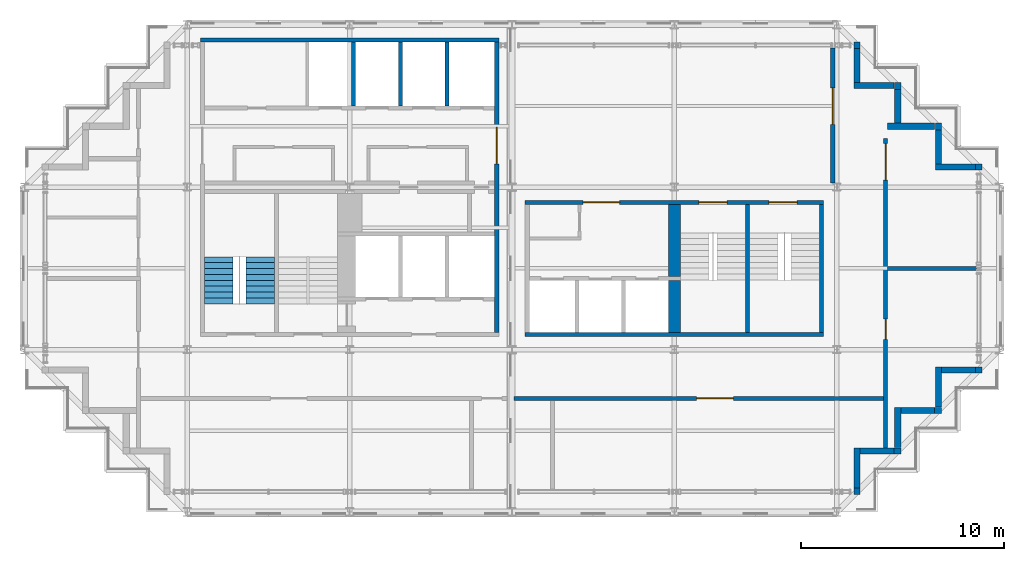
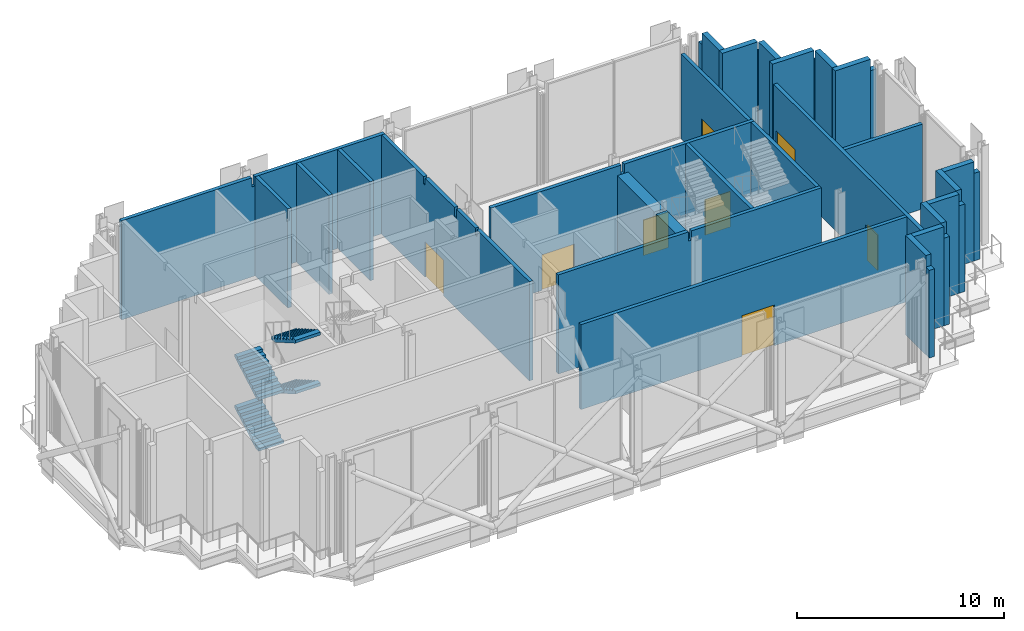
# One storey, part 13 of 16: 35 walls, 8 doors, 4 stair flights, 8 openings, 1 element without a shape of its own.
"""IFC4 building model written with IfcOpenShell, lengths in metres."""

from ifc_helpers import new_model, si_unit, direction, frame, frame_2d, origin, place, context, subcontext, project, spatial, polyline, rectangle, outline, extrude, material, layer, layer_set, type_object, element, fill, aggregate, save


model = new_model("IFC4")

# Units and contexts
model_context = context("Model", 3, precision=1e-05, world=origin(), true_north=direction((0.0, 1.0)))
body_context = subcontext(model_context, "Body", "Model", "MODEL_VIEW")
ifc_project = project(units=[si_unit("LENGTHUNIT", "METRE"), si_unit("AREAUNIT", "SQUARE_METRE"), si_unit("VOLUMEUNIT", "CUBIC_METRE"), si_unit("PLANEANGLEUNIT", "RADIAN"), si_unit("MASSUNIT", "GRAM", prefix="KILO")], contexts=[model_context])

# Site, building, storey
site_placement = place(None, origin())
site = spatial("IfcSite", under=ifc_project, at=site_placement, CompositionType="ELEMENT")
building_placement = place(site_placement, origin())
building = spatial("IfcBuilding", under=site, at=building_placement, Name="Immortelle Media Tower", CompositionType="ELEMENT")
storey_placement = place(building_placement, frame((0.0, 0.0, 241.0)))
storey = spatial("IfcBuildingStorey", under=building, at=storey_placement, Name="L52", CompositionType="ELEMENT", Elevation=241.0)

# Walls
ifc_material_1 = material(Name="Fire-rated gypsum board", Category="gypsum")
ifc_layer_1 = layer(ifc_material_1, 0.03759765625)
ifc_material_2 = material(Name="Steel ASTM A653 SS Gr 50 stud frame with mineral wool", Category="steel")
ifc_layer_2 = layer(ifc_material_2, 0.125)
ifc_layer_3 = layer(ifc_material_1, 0.03759765625)
ifc_layer_set_1 = layer_set([ifc_layer_1, ifc_layer_2, ifc_layer_3], Name="Steel ASTM A653 SS Gr 50 stud frame with mineral wool")
wall_type_1 = type_object("IfcWallType", Name="Core shaft wall 200", PredefinedType="PARTITIONING", material=ifc_layer_set_1)
wall_1_placement = place(storey_placement, frame((8.64990234375, 23.25, 0.0), z_axis=(0.0, 0.0, 1.0), x_axis=(1.0, 0.0, 0.0)))
element("IfcWall", 1, at=wall_1_placement, inside=storey, type_object=wall_type_1, Name="Core shaft wall SW", PredefinedType="PARTITIONING", context=body_context, shape_type="SweptSolid", body=[
    extrude(outline(polyline([(0.0, 0.0), (14.7001953125, 0.0), (14.699951171875, 5.85009765625), (7.4384765625, 5.85009765625), (7.4375, 5.30810546875), (7.262451171875, 5.30810546875), (7.261474609375, 5.85009765625), (0.0, 5.85009765625), (0.0, 0.0)])), frame((0.0, 0.10009765625, 0.0), z_axis=(0.0, -1.0, 0.0), x_axis=(1.0, 0.0, 0.0)), (0.0, 0.0, 1.0), 0.199951171875),
])
for number, where, z_axis, x_axis, name in (
    (2, (16.199951171875, 20.0, 0.0), (0.0, 0.0, 1.0), (0.0, 1.0, 0.0), "Core shaft wall SW"),
    (3, (18.5, 20.0, 0.0), (0.0, 0.0, 1.0), (0.0, 1.0, 0.0), "Core shaft wall SW"),
    (4, (20.800048828125, 20.0, 0.0), (0.0, 0.0, 1.0), (0.0, 1.0, 0.0), "Core shaft wall SW"),
):
    element("IfcWall", number, at=place(storey_placement, frame(where, z_axis=z_axis, x_axis=x_axis)), inside=storey, type_object=wall_type_1, Name=name, PredefinedType="PARTITIONING", context=body_context, shape_type="SweptSolid", body=[
        extrude(rectangle(XDim=3.14990234375, YDim=0.199951171875, at=frame_2d((1.574951171875, 0.0))), origin(), (0.0, 0.0, 1.0), 5.85009765625),
    ])

# Wall, opening, door
wall_2_placement = place(storey_placement, frame((23.25, 8.85009765625, 0.0), z_axis=(0.0, 0.0, 1.0), x_axis=(0.0, 1.0, 0.0)))
wall_2 = element("IfcWall", 5, at=wall_2_placement, inside=storey, type_object=wall_type_1, Name="Core shaft wall SW", PredefinedType="PARTITIONING", context=body_context, shape_type="SweptSolid", body=[
    extrude(outline(polyline([(0.0, 0.0), (14.2998046875, 0.0), (14.300048828125, 5.85009765625), (10.22509765625, 5.85009765625), (10.22412109375, 5.43994140625), (10.075927734375, 5.43994140625), (10.074951171875, 5.85009765625), (7.238525390625, 5.85009765625), (7.237548828125, 5.30810546875), (7.0625, 5.30810546875), (7.0615234375, 5.85009765625), (5.22509765625, 5.85009765625), (5.22412109375, 5.43994140625), (5.075927734375, 5.43994140625), (5.074951171875, 5.85009765625), (0.0, 5.85009765625), (0.0, 0.0)])), frame((0.0, 0.10009765625, 0.0), z_axis=(0.0, -1.0, 0.0), x_axis=(1.0, 0.0, 0.0)), (0.0, 0.0, 1.0), 0.199951171875),
])
opening_1_placement = place(wall_2_placement, frame((8.300048828125, 0.0, 0.0)))
opening_1 = element("IfcOpeningElement", 6, at=opening_1_placement, cuts=wall_2, Name="Opening L52-K018", PredefinedType="OPENING", context=body_context, shape_type="SweptSolid", body=[
    extrude(rectangle(XDim=1.800048828125, YDim=2.10009765625, at=frame_2d((0.89990234375, 1.050048828125))), frame((0.0, 0.10986328125, 0.0), z_axis=(0.0, -1.0, 0.0), x_axis=(1.0, 0.0, 0.0)), (0.0, 0.0, 1.0), 0.219970703125),
])
ifc_material_3 = material(Name="Galvanised steel door leaf and frame ASTM A653", Category="steel")
door_type_1 = type_object("IfcDoorType", Name="Lift lobby door 1800 x 2100", OperationType="DOUBLE_DOOR_SINGLE_SWING", PredefinedType="NOTDEFINED", material=ifc_material_3)
door_1_placement = place(opening_1_placement, origin())
door_1 = element("IfcDoor", 7, at=door_1_placement, inside=storey, type_object=door_type_1, Name="Lift lobby L52-K018", OperationType="DOUBLE_DOOR_SINGLE_SWING", OverallHeight=2.10009765625, OverallWidth=1.800048828125, PredefinedType="NOTDEFINED", context=body_context, shape_type="SweptSolid", body=[
    extrude(rectangle(XDim=1.800048828125, YDim=2.10009765625, at=frame_2d((0.89990234375, 1.050048828125))), frame((0.0, 0.02490234375, 0.0), z_axis=(0.0, -1.0, 0.0), x_axis=(1.0, 0.0, 0.0)), (0.0, 0.0, 1.0), 0.050048828125),
])
fill(opening_1, door_1)

ifc_layer_4 = layer(ifc_material_1, 0.03759765625)
ifc_layer_5 = layer(ifc_material_2, 0.125)
ifc_layer_6 = layer(ifc_material_1, 0.03759765625)
ifc_layer_set_2 = layer_set([ifc_layer_4, ifc_layer_5, ifc_layer_6], Name="Steel ASTM A653 SS Gr 50 stud frame with mineral wool")
wall_type_2 = type_object("IfcWallType", Name="Fire-resisting wall 200", PredefinedType="PARTITIONING", material=ifc_layer_set_2)
wall_3_placement = place(storey_placement, frame((24.094970703125, 5.60009765625, 0.0), z_axis=(0.0, 0.0, 1.0), x_axis=(1.0, 0.0, 0.0)))
wall_3 = element("IfcWall", 8, at=wall_3_placement, inside=storey, type_object=wall_type_2, Name="Fire-resisting wall L52-7B", PredefinedType="PARTITIONING", context=body_context, shape_type="SweptSolid", body=[
    extrude(rectangle(XDim=18.205078125, YDim=0.199951171875, at=frame_2d((9.1025390625, 0.0))), origin(), (0.0, 0.0, 1.0), 5.013916015625),
])
opening_2_placement = place(wall_3_placement, frame((9.0048828125, 0.0, 0.0)))
opening_2 = element("IfcOpeningElement", 9, at=opening_2_placement, cuts=wall_3, Name="Opening L52-X07", PredefinedType="OPENING", context=body_context, shape_type="SweptSolid", body=[
    extrude(rectangle(XDim=1.800048828125, YDim=2.39990234375, at=frame_2d((0.89990234375, 1.199951171875))), frame((0.0, 0.10986328125, 0.0), z_axis=(0.0, -1.0, 0.0), x_axis=(1.0, 0.0, 0.0)), (0.0, 0.0, 1.0), 0.219970703125),
])
door_type_2 = type_object("IfcDoorType", Name="Fire double door 1800 x 2400", OperationType="DOUBLE_DOOR_SINGLE_SWING", PredefinedType="DOOR", material=ifc_material_3)
door_2_placement = place(opening_2_placement, origin())
door_2 = element("IfcDoor", 10, at=door_2_placement, inside=storey, type_object=door_type_2, Name="Door L52-X07", OperationType="DOUBLE_DOOR_SINGLE_SWING", OverallHeight=2.39990234375, OverallWidth=1.800048828125, PredefinedType="DOOR", context=body_context, shape_type="SweptSolid", body=[
    extrude(rectangle(XDim=1.800048828125, YDim=2.39990234375, at=frame_2d((0.89990234375, 1.199951171875))), frame((0.0, 0.02490234375, 0.0), z_axis=(0.0, -1.0, 0.0), x_axis=(1.0, 0.0, 0.0)), (0.0, 0.0, 1.0), 0.050048828125),
])
fill(opening_2, door_2)

wall_4_placement = place(storey_placement, frame((39.800048828125, 16.193115234375, 0.0), z_axis=(0.0, 0.0, 1.0), x_axis=(0.0, 1.0, 0.0)))
wall_4 = element("IfcWall", 11, at=wall_4_placement, inside=storey, type_object=wall_type_2, Name="Fire-resisting wall L52-10", PredefinedType="PARTITIONING", context=body_context, shape_type="SweptSolid", body=[
    extrude(rectangle(XDim=6.656982421875, YDim=0.199951171875, at=frame_2d((3.32861328125, 0.0))), origin(), (0.0, 0.0, 1.0), 5.013916015625),
])
opening_3_placement = place(wall_4_placement, frame((2.89990234375, 0.0, 0.0)))
opening_3 = element("IfcOpeningElement", 12, at=opening_3_placement, cuts=wall_4, Name="Opening L52-X10", PredefinedType="OPENING", context=body_context, shape_type="SweptSolid", body=[
    extrude(rectangle(XDim=1.800048828125, YDim=2.39990234375, at=frame_2d((0.89990234375, 1.199951171875))), frame((0.0, 0.10986328125, 0.0), z_axis=(0.0, -1.0, 0.0), x_axis=(1.0, 0.0, 0.0)), (0.0, 0.0, 1.0), 0.219970703125),
])
door_3_placement = place(opening_3_placement, origin())
door_3 = element("IfcDoor", 13, at=door_3_placement, inside=storey, type_object=door_type_2, Name="Door L52-X10", OperationType="DOUBLE_DOOR_SINGLE_SWING", OverallHeight=2.39990234375, OverallWidth=1.800048828125, PredefinedType="DOOR", context=body_context, shape_type="SweptSolid", body=[
    extrude(rectangle(XDim=1.800048828125, YDim=2.39990234375, at=frame_2d((0.89990234375, 1.199951171875))), frame((0.0, 0.02490234375, 0.0), z_axis=(0.0, -1.0, 0.0), x_axis=(1.0, 0.0, 0.0)), (0.0, 0.0, 1.0), 0.050048828125),
])
fill(opening_3, door_3)

# Wall, openings, doors
wall_5_placement = place(storey_placement, frame((42.39990234375, 3.14990234375, 0.0), z_axis=(0.0, 0.0, 1.0), x_axis=(0.0, 1.0, 0.0)))
wall_5 = element("IfcWall", 14, at=wall_5_placement, inside=storey, type_object=wall_type_2, Name="Fire-resisting wall L52-11", PredefinedType="PARTITIONING", context=body_context, shape_type="SweptSolid", body=[
    extrude(rectangle(XDim=15.25, YDim=0.199951171875, at=frame_2d((7.625, 0.0))), origin(), (0.0, 0.0, 1.0), 5.013916015625),
])
opening_4_placement = place(wall_5_placement, frame((5.35009765625, 0.0, 0.0)))
opening_4 = element("IfcOpeningElement", 15, at=opening_4_placement, cuts=wall_5, Name="Opening L52-X08", PredefinedType="OPENING", context=body_context, shape_type="SweptSolid", body=[
    extrude(rectangle(XDim=1.0, YDim=2.10009765625, at=frame_2d((0.5, 1.050048828125))), frame((0.0, 0.10986328125, 0.0), z_axis=(0.0, -1.0, 0.0), x_axis=(1.0, 0.0, 0.0)), (0.0, 0.0, 1.0), 0.219970703125),
])
opening_5_placement = place(wall_5_placement, frame((13.199951171875, 0.0, 0.0)))
opening_5 = element("IfcOpeningElement", 16, at=opening_5_placement, cuts=wall_5, Name="Opening L52-X09", PredefinedType="OPENING", context=body_context, shape_type="SweptSolid", body=[
    extrude(rectangle(XDim=1.800048828125, YDim=2.39990234375, at=frame_2d((0.89990234375, 1.199951171875))), frame((0.0, 0.10986328125, 0.0), z_axis=(0.0, -1.0, 0.0), x_axis=(1.0, 0.0, 0.0)), (0.0, 0.0, 1.0), 0.219970703125),
])
door_type_3 = type_object("IfcDoorType", Name="Fire door 1000 x 2100", OperationType="NOTDEFINED", PredefinedType="DOOR", material=ifc_material_3)
door_4_placement = place(opening_4_placement, origin())
door_4 = element("IfcDoor", 17, at=door_4_placement, inside=storey, type_object=door_type_3, Name="Door L52-X08", OperationType="SINGLE_SWING_LEFT", OverallHeight=2.10009765625, OverallWidth=1.0, PredefinedType="DOOR", context=body_context, shape_type="SweptSolid", body=[
    extrude(rectangle(XDim=1.0, YDim=2.10009765625, at=frame_2d((0.5, 1.050048828125))), frame((0.0, 0.02490234375, 0.0), z_axis=(0.0, -1.0, 0.0), x_axis=(1.0, 0.0, 0.0)), (0.0, 0.0, 1.0), 0.050048828125),
])
fill(opening_4, door_4)
door_5_placement = place(opening_5_placement, origin())
door_5 = element("IfcDoor", 18, at=door_5_placement, inside=storey, type_object=door_type_2, Name="Door L52-X09", OperationType="DOUBLE_DOOR_SINGLE_SWING", OverallHeight=2.39990234375, OverallWidth=1.800048828125, PredefinedType="DOOR", context=body_context, shape_type="SweptSolid", body=[
    extrude(rectangle(XDim=1.800048828125, YDim=2.39990234375, at=frame_2d((0.89990234375, 1.199951171875))), frame((0.0, 0.02490234375, 0.0), z_axis=(0.0, -1.0, 0.0), x_axis=(1.0, 0.0, 0.0)), (0.0, 0.0, 1.0), 0.050048828125),
])
fill(opening_5, door_5)

# Walls
wall_6_placement = place(storey_placement, frame((42.5, 12.0, 0.0), z_axis=(0.0, 0.0, 1.0), x_axis=(1.0, 0.0, 0.0)))
element("IfcWall", 19, at=wall_6_placement, inside=storey, type_object=wall_type_2, Name="Fire-resisting wall L52-12", PredefinedType="PARTITIONING", context=body_context, shape_type="SweptSolid", body=[
    extrude(rectangle(XDim=4.3701171875, YDim=0.199951171875, at=frame_2d((2.18505859375, 0.0))), origin(), (0.0, 0.0, 1.0), 5.013916015625),
])
ifc_material_4 = material(Name="Pale aluminium cladding panel", Category="aluminium")
ifc_layer_7 = layer(ifc_material_4, 0.030029296875)
ifc_layer_8 = layer(ifc_material_2, 0.257568359375)
ifc_material_5 = material(Name="Moisture-resistant gypsum board", Category="gypsum")
ifc_layer_9 = layer(ifc_material_5, 0.012451171875)
ifc_layer_set_3 = layer_set([ifc_layer_7, ifc_layer_8, ifc_layer_9], Name="Steel ASTM A653 SS Gr 50 stud frame with mineral wool")
wall_type_3 = type_object("IfcWallType", Name="Pale metal clad wall 300", PredefinedType="STANDARD", material=ifc_layer_set_3)
wall_7_placement = place(storey_placement, frame((41.0, 0.85009765625, 0.0), z_axis=(0.0, 0.0, 1.0), x_axis=(0.0, 1.0, 0.0)))
element("IfcWall", 20, at=wall_7_placement, inside=storey, type_object=wall_type_3, Name="Plant corner wall L52 E 8-1", PredefinedType="STANDARD", context=body_context, shape_type="SweptSolid", body=[
    extrude(rectangle(XDim=0.328857421875, YDim=0.300048828125, at=frame_2d((0.16455078125, 0.0))), origin(), (0.0, 0.0, 1.0), 5.17138671875),
])
wall_8_placement = place(storey_placement, frame((41.0, 1.178955078125, 0.0), z_axis=(0.0, 0.0, 1.0), x_axis=(0.0, 1.0, 0.0)))
element("IfcWall", 21, at=wall_8_placement, inside=storey, type_object=wall_type_3, Name="Plant corner wall L52 E 8-2", PredefinedType="STANDARD", context=body_context, shape_type="SweptSolid", body=[
    extrude(rectangle(XDim=1.970947265625, YDim=0.300048828125, at=frame_2d((0.9853515625, 0.0))), origin(), (0.0, 0.0, 1.0), 5.849609375),
])
wall_9_placement = place(storey_placement, frame((41.14990234375, 3.0, 0.0), z_axis=(0.0, 0.0, 1.0), x_axis=(1.0, 0.0, 0.0)))
element("IfcWall", 22, at=wall_9_placement, inside=storey, type_object=wall_type_3, Name="Plant corner wall L52 S 9-1", PredefinedType="STANDARD", context=body_context, shape_type="SweptSolid", body=[
    extrude(rectangle(XDim=1.671142578125, YDim=0.300048828125, at=frame_2d((0.83544921875, 0.0))), origin(), (0.0, 0.0, 1.0), 5.849609375),
])
wall_10_placement = place(storey_placement, frame((42.821044921875, 3.0, 0.0), z_axis=(0.0, 0.0, 1.0), x_axis=(1.0, 0.0, 0.0)))
element("IfcWall", 23, at=wall_10_placement, inside=storey, type_object=wall_type_3, Name="Plant corner wall L52 S 9-2", PredefinedType="STANDARD", context=body_context, shape_type="SweptSolid", body=[
    extrude(rectangle(XDim=0.328857421875, YDim=0.300048828125, at=frame_2d((0.16455078125, 0.0))), origin(), (0.0, 0.0, 1.0), 5.17138671875),
])
wall_11_placement = place(storey_placement, frame((43.0, 3.178955078125, 0.0), z_axis=(0.0, 0.0, 1.0), x_axis=(0.0, 1.0, 0.0)))
element("IfcWall", 24, at=wall_11_placement, inside=storey, type_object=wall_type_3, Name="Plant corner wall L52 E 10-2", PredefinedType="STANDARD", context=body_context, shape_type="SweptSolid", body=[
    extrude(rectangle(XDim=1.970947265625, YDim=0.300048828125, at=frame_2d((0.9853515625, 0.0))), origin(), (0.0, 0.0, 1.0), 5.849609375),
])
wall_12_placement = place(storey_placement, frame((43.14990234375, 5.0, 0.0), z_axis=(0.0, 0.0, 1.0), x_axis=(1.0, 0.0, 0.0)))
element("IfcWall", 25, at=wall_12_placement, inside=storey, type_object=wall_type_3, Name="Plant corner wall L52 S 11-1", PredefinedType="STANDARD", context=body_context, shape_type="SweptSolid", body=[
    extrude(rectangle(XDim=1.671142578125, YDim=0.300048828125, at=frame_2d((0.83544921875, 0.0))), origin(), (0.0, 0.0, 1.0), 5.849609375),
])
wall_13_placement = place(storey_placement, frame((44.821044921875, 5.0, 0.0), z_axis=(0.0, 0.0, 1.0), x_axis=(1.0, 0.0, 0.0)))
element("IfcWall", 26, at=wall_13_placement, inside=storey, type_object=wall_type_3, Name="Plant corner wall L52 S 11-2", PredefinedType="STANDARD", context=body_context, shape_type="SweptSolid", body=[
    extrude(rectangle(XDim=0.328857421875, YDim=0.300048828125, at=frame_2d((0.16455078125, 0.0))), origin(), (0.0, 0.0, 1.0), 5.17138671875),
])
wall_14_placement = place(storey_placement, frame((45.0, 5.178955078125, 0.0), z_axis=(0.0, 0.0, 1.0), x_axis=(0.0, 1.0, 0.0)))
element("IfcWall", 27, at=wall_14_placement, inside=storey, type_object=wall_type_3, Name="Plant corner wall L52 E 12-2", PredefinedType="STANDARD", context=body_context, shape_type="SweptSolid", body=[
    extrude(rectangle(XDim=1.970947265625, YDim=0.300048828125, at=frame_2d((0.9853515625, 0.0))), origin(), (0.0, 0.0, 1.0), 5.849609375),
])
wall_15_placement = place(storey_placement, frame((45.14990234375, 7.0, 0.0), z_axis=(0.0, 0.0, 1.0), x_axis=(1.0, 0.0, 0.0)))
element("IfcWall", 28, at=wall_15_placement, inside=storey, type_object=wall_type_3, Name="Plant corner wall L52 S 13-1", PredefinedType="STANDARD", context=body_context, shape_type="SweptSolid", body=[
    extrude(rectangle(XDim=1.671142578125, YDim=0.300048828125, at=frame_2d((0.83544921875, 0.0))), origin(), (0.0, 0.0, 1.0), 5.849609375),
])
for number, where, z_axis, x_axis, name in (
    (29, (46.821044921875, 7.0, 0.0), (0.0, 0.0, 1.0), (1.0, 0.0, 0.0), "Plant corner wall L52 S 13-2"),
    (30, (47.14990234375, 17.0, 0.0), (0.0, 0.0, 1.0), (-1.0, 0.0, 0.0), "Plant corner wall L52 N 15-1"),
):
    element("IfcWall", number, at=place(storey_placement, frame(where, z_axis=z_axis, x_axis=x_axis)), inside=storey, type_object=wall_type_3, Name=name, PredefinedType="STANDARD", context=body_context, shape_type="SweptSolid", body=[
        extrude(rectangle(XDim=0.328857421875, YDim=0.300048828125, at=frame_2d((0.16455078125, 0.0))), origin(), (0.0, 0.0, 1.0), 5.17138671875),
    ])
wall_16_placement = place(storey_placement, frame((46.821044921875, 17.0, 0.0), z_axis=(0.0, 0.0, 1.0), x_axis=(-1.0, 0.0, 0.0)))
element("IfcWall", 31, at=wall_16_placement, inside=storey, type_object=wall_type_3, Name="Plant corner wall L52 N 15-2", PredefinedType="STANDARD", context=body_context, shape_type="SweptSolid", body=[
    extrude(rectangle(XDim=1.970947265625, YDim=0.300048828125, at=frame_2d((0.9853515625, 0.0))), origin(), (0.0, 0.0, 1.0), 5.849609375),
])
wall_17_placement = place(storey_placement, frame((45.0, 17.14990234375, 0.0), z_axis=(0.0, 0.0, 1.0), x_axis=(0.0, 1.0, 0.0)))
element("IfcWall", 32, at=wall_17_placement, inside=storey, type_object=wall_type_3, Name="Plant corner wall L52 E 16-1", PredefinedType="STANDARD", context=body_context, shape_type="SweptSolid", body=[
    extrude(rectangle(XDim=1.671142578125, YDim=0.300048828125, at=frame_2d((0.83544921875, 0.0))), origin(), (0.0, 0.0, 1.0), 5.849609375),
])
wall_18_placement = place(storey_placement, frame((45.0, 18.821044921875, 0.0), z_axis=(0.0, 0.0, 1.0), x_axis=(0.0, 1.0, 0.0)))
element("IfcWall", 33, at=wall_18_placement, inside=storey, type_object=wall_type_3, Name="Plant corner wall L52 E 16-2", PredefinedType="STANDARD", context=body_context, shape_type="SweptSolid", body=[
    extrude(rectangle(XDim=0.328857421875, YDim=0.300048828125, at=frame_2d((0.16455078125, 0.0))), origin(), (0.0, 0.0, 1.0), 5.17138671875),
])
wall_19_placement = place(storey_placement, frame((44.821044921875, 19.0, 0.0), z_axis=(0.0, 0.0, 1.0), x_axis=(-1.0, 0.0, 0.0)))
element("IfcWall", 34, at=wall_19_placement, inside=storey, type_object=wall_type_3, Name="Plant corner wall L52 N 17-2", PredefinedType="STANDARD", context=body_context, shape_type="SweptSolid", body=[
    extrude(rectangle(XDim=2.321044921875, YDim=0.300048828125, at=frame_2d((1.16064453125, 0.0))), origin(), (0.0, 0.0, 1.0), 5.849609375),
])
wall_20_placement = place(storey_placement, frame((43.0, 19.14990234375, 0.0), z_axis=(0.0, 0.0, 1.0), x_axis=(0.0, 1.0, 0.0)))
element("IfcWall", 35, at=wall_20_placement, inside=storey, type_object=wall_type_3, Name="Plant corner wall L52 E 18-1", PredefinedType="STANDARD", context=body_context, shape_type="SweptSolid", body=[
    extrude(rectangle(XDim=1.671142578125, YDim=0.300048828125, at=frame_2d((0.83544921875, 0.0))), origin(), (0.0, 0.0, 1.0), 5.849609375),
])
wall_21_placement = place(storey_placement, frame((43.0, 20.821044921875, 0.0), z_axis=(0.0, 0.0, 1.0), x_axis=(0.0, 1.0, 0.0)))
element("IfcWall", 36, at=wall_21_placement, inside=storey, type_object=wall_type_3, Name="Plant corner wall L52 E 18-2", PredefinedType="STANDARD", context=body_context, shape_type="SweptSolid", body=[
    extrude(rectangle(XDim=0.328857421875, YDim=0.300048828125, at=frame_2d((0.16455078125, 0.0))), origin(), (0.0, 0.0, 1.0), 5.17138671875),
])
wall_22_placement = place(storey_placement, frame((42.821044921875, 21.0, 0.0), z_axis=(0.0, 0.0, 1.0), x_axis=(-1.0, 0.0, 0.0)))
element("IfcWall", 37, at=wall_22_placement, inside=storey, type_object=wall_type_3, Name="Plant corner wall L52 N 19-2", PredefinedType="STANDARD", context=body_context, shape_type="SweptSolid", body=[
    extrude(rectangle(XDim=1.970947265625, YDim=0.300048828125, at=frame_2d((0.9853515625, 0.0))), origin(), (0.0, 0.0, 1.0), 5.849609375),
])
wall_23_placement = place(storey_placement, frame((41.0, 21.14990234375, 0.0), z_axis=(0.0, 0.0, 1.0), x_axis=(0.0, 1.0, 0.0)))
element("IfcWall", 38, at=wall_23_placement, inside=storey, type_object=wall_type_3, Name="Plant corner wall L52 E 20-1", PredefinedType="STANDARD", context=body_context, shape_type="SweptSolid", body=[
    extrude(rectangle(XDim=1.671142578125, YDim=0.300048828125, at=frame_2d((0.83544921875, 0.0))), origin(), (0.0, 0.0, 1.0), 5.849609375),
])
wall_24_placement = place(storey_placement, frame((41.0, 22.821044921875, 0.0), z_axis=(0.0, 0.0, 1.0), x_axis=(0.0, 1.0, 0.0)))
element("IfcWall", 39, at=wall_24_placement, inside=storey, type_object=wall_type_3, Name="Plant corner wall L52 E 20-2", PredefinedType="STANDARD", context=body_context, shape_type="SweptSolid", body=[
    extrude(rectangle(XDim=0.328857421875, YDim=0.300048828125, at=frame_2d((0.16455078125, 0.0))), origin(), (0.0, 0.0, 1.0), 5.17138671875),
])
ifc_material_6 = material(Name="Concrete C60", Category="concrete")
ifc_layer_10 = layer(ifc_material_6, 0.199951171875)
ifc_layer_set_4 = layer_set([ifc_layer_10], Name="Concrete C60")
wall_type_4 = type_object("IfcWallType", Name="Stair shaft wall 200", PredefinedType="PARTITIONING", material=ifc_layer_set_4)
wall_25_placement = place(storey_placement, frame((24.64990234375, 8.75, 0.0), z_axis=(0.0, 0.0, 1.0), x_axis=(1.0, 0.0, 0.0)))
element("IfcWall", 40, at=wall_25_placement, inside=storey, type_object=wall_type_4, Name="Stair shaft wall SE", PredefinedType="PARTITIONING", context=body_context, shape_type="SweptSolid", body=[
    extrude(outline(polyline([(0.0, 0.0), (14.7001953125, 0.0), (14.699951171875, 5.85009765625), (7.4384765625, 5.85009765625), (7.4375, 5.30810546875), (7.262451171875, 5.30810546875), (7.261474609375, 5.85009765625), (0.0, 5.85009765625), (0.0, 0.0)])), frame((0.0, 0.10009765625, 0.0), z_axis=(0.0, -1.0, 0.0), x_axis=(1.0, 0.0, 0.0)), (0.0, 0.0, 1.0), 0.199951171875),
])

# Wall, openings, doors
wall_26_placement = place(storey_placement, frame((24.64990234375, 15.25, 0.0), z_axis=(0.0, 0.0, 1.0), x_axis=(1.0, 0.0, 0.0)))
wall_26 = element("IfcWall", 41, at=wall_26_placement, inside=storey, type_object=wall_type_4, Name="Stair shaft wall SE", PredefinedType="PARTITIONING", context=body_context, shape_type="SweptSolid", body=[
    extrude(outline(polyline([(0.0, 0.0), (14.7001953125, 0.0), (14.699951171875, 5.85009765625), (7.4384765625, 5.85009765625), (7.4375, 5.30810546875), (7.262451171875, 5.30810546875), (7.261474609375, 5.85009765625), (0.0, 5.85009765625), (0.0, 0.0)])), frame((0.0, 0.10009765625, 0.0), z_axis=(0.0, -1.0, 0.0), x_axis=(1.0, 0.0, 0.0)), (0.0, 0.0, 1.0), 0.199951171875),
])
opening_6_placement = place(wall_26_placement, frame((2.85009765625, 0.0, 0.0)))
opening_6 = element("IfcOpeningElement", 42, at=opening_6_placement, cuts=wall_26, Name="Opening L52-K022", PredefinedType="OPENING", context=body_context, shape_type="SweptSolid", body=[
    extrude(rectangle(XDim=1.800048828125, YDim=2.10009765625, at=frame_2d((0.89990234375, 1.050048828125))), frame((0.0, 0.10986328125, 0.0), z_axis=(0.0, -1.0, 0.0), x_axis=(1.0, 0.0, 0.0)), (0.0, 0.0, 1.0), 0.219970703125),
])
opening_7_placement = place(wall_26_placement, frame((9.949951171875, 0.0, 0.0), z_axis=(0.0, 0.0, 1.0), x_axis=(-1.0, 0.0, 0.0)))
opening_7 = element("IfcOpeningElement", 43, at=opening_7_placement, cuts=wall_26, Name="Opening L52-K024", PredefinedType="OPENING", context=body_context, shape_type="SweptSolid", body=[
    extrude(rectangle(XDim=1.39990234375, YDim=2.10009765625, at=frame_2d((0.699951171875, 1.050048828125))), frame((0.0, 0.10986328125, 0.0), z_axis=(0.0, -1.0, 0.0), x_axis=(1.0, 0.0, 0.0)), (0.0, 0.0, 1.0), 0.219970703125),
])
opening_8_placement = place(wall_26_placement, frame((13.39990234375, 0.0, 0.0), z_axis=(0.0, 0.0, 1.0), x_axis=(-1.0, 0.0, 0.0)))
opening_8 = element("IfcOpeningElement", 44, at=opening_8_placement, cuts=wall_26, Name="Opening L52-K025", PredefinedType="OPENING", context=body_context, shape_type="SweptSolid", body=[
    extrude(rectangle(XDim=1.39990234375, YDim=2.10009765625, at=frame_2d((0.699951171875, 1.050048828125))), frame((0.0, 0.10986328125, 0.0), z_axis=(0.0, -1.0, 0.0), x_axis=(1.0, 0.0, 0.0)), (0.0, 0.0, 1.0), 0.219970703125),
])
door_6_placement = place(opening_6_placement, origin())
door_6 = element("IfcDoor", 45, at=door_6_placement, inside=storey, type_object=door_type_1, Name="Lift lobby L52-K022", OperationType="DOUBLE_DOOR_SINGLE_SWING", OverallHeight=2.10009765625, OverallWidth=1.800048828125, PredefinedType="NOTDEFINED", context=body_context, shape_type="SweptSolid", body=[
    extrude(rectangle(XDim=1.800048828125, YDim=2.10009765625, at=frame_2d((0.89990234375, 1.050048828125))), frame((0.0, 0.02490234375, 0.0), z_axis=(0.0, -1.0, 0.0), x_axis=(1.0, 0.0, 0.0)), (0.0, 0.0, 1.0), 0.050048828125),
])
fill(opening_6, door_6)
door_type_4 = type_object("IfcDoorType", Name="Stair door 1400 x 2100", OperationType="DOUBLE_DOOR_SINGLE_SWING", PredefinedType="NOTDEFINED", material=ifc_material_3)
door_7_placement = place(opening_7_placement, origin())
door_7 = element("IfcDoor", 46, at=door_7_placement, inside=storey, type_object=door_type_4, Name="Stair L52-K024", OperationType="DOUBLE_DOOR_SINGLE_SWING", OverallHeight=2.10009765625, OverallWidth=1.39990234375, PredefinedType="NOTDEFINED", context=body_context, shape_type="SweptSolid", body=[
    extrude(rectangle(XDim=1.39990234375, YDim=2.10009765625, at=frame_2d((0.699951171875, 1.050048828125))), frame((0.0, 0.02490234375, 0.0), z_axis=(0.0, -1.0, 0.0), x_axis=(1.0, 0.0, 0.0)), (0.0, 0.0, 1.0), 0.050048828125),
])
fill(opening_7, door_7)
door_8_placement = place(opening_8_placement, origin())
door_8 = element("IfcDoor", 47, at=door_8_placement, inside=storey, type_object=door_type_4, Name="Stair L52-K025", OperationType="DOUBLE_DOOR_SINGLE_SWING", OverallHeight=2.10009765625, OverallWidth=1.39990234375, PredefinedType="NOTDEFINED", context=body_context, shape_type="SweptSolid", body=[
    extrude(rectangle(XDim=1.39990234375, YDim=2.10009765625, at=frame_2d((0.699951171875, 1.050048828125))), frame((0.0, 0.02490234375, 0.0), z_axis=(0.0, -1.0, 0.0), x_axis=(1.0, 0.0, 0.0)), (0.0, 0.0, 1.0), 0.050048828125),
])
fill(opening_8, door_8)

# Walls
for number, where, z_axis, x_axis, name in (
    (48, (35.60009765625, 8.85009765625, 0.0), (0.0, 0.0, 1.0), (0.0, 1.0, 0.0), "Stair shaft wall SE"),
    (49, (39.25, 8.85009765625, 0.0), (0.0, 0.0, 1.0), (0.0, 1.0, 0.0), "Stair shaft wall SE"),
):
    element("IfcWall", number, at=place(storey_placement, frame(where, z_axis=z_axis, x_axis=x_axis)), inside=storey, type_object=wall_type_4, Name=name, PredefinedType="PARTITIONING", context=body_context, shape_type="SweptSolid", body=[
        extrude(rectangle(XDim=6.2998046875, YDim=0.199951171875, at=frame_2d((3.14990234375, 0.0))), origin(), (0.0, 0.0, 1.0), 5.85009765625),
    ])
ifc_layer_11 = layer(ifc_material_6, 0.60009765625)
ifc_layer_set_5 = layer_set([ifc_layer_11], Name="Concrete C60")
wall_type_5 = type_object("IfcWallType", Name="Stair shaft wall 600", PredefinedType="PARTITIONING", material=ifc_layer_set_5)
wall_27_placement = place(storey_placement, frame((32.0, 8.85009765625, 0.0), z_axis=(0.0, 0.0, 1.0), x_axis=(0.0, 1.0, 0.0)))
element("IfcWall", 50, at=wall_27_placement, inside=storey, type_object=wall_type_5, Name="Stair shaft wall SE", PredefinedType="PARTITIONING", context=body_context, shape_type="SweptSolid", body=[
    extrude(rectangle(XDim=2.5498046875, YDim=0.60009765625, at=frame_2d((1.27490234375, 0.0))), origin(), (0.0, 0.0, 1.0), 5.30810546875),
])
wall_28_placement = place(storey_placement, frame((32.0, 11.60009765625, 0.0), z_axis=(0.0, 0.0, 1.0), x_axis=(0.0, 1.0, 0.0)))
element("IfcWall", 51, at=wall_28_placement, inside=storey, type_object=wall_type_5, Name="Stair shaft wall SE", PredefinedType="PARTITIONING", context=body_context, shape_type="SweptSolid", body=[
    extrude(rectangle(XDim=3.5498046875, YDim=0.60009765625, at=frame_2d((1.77490234375, 0.0))), origin(), (0.0, 0.0, 1.0), 5.30810546875),
])

# Stair, stair flights
ifc_material_7 = material(Name="Steel ASTM A992 Gr 50", Category="steel")
stair_type = type_object("IfcStairType", Name="Stair with flights", PredefinedType="DOUBLE_RETURN_STAIR", material=ifc_material_7)
stair_placement = place(storey_placement, origin())
stair = element("IfcStair", 52, at=stair_placement, inside=storey, type_object=stair_type, Name="Exit stair SW1", PredefinedType="DOUBLE_RETURN_STAIR")
stair_flight_type = type_object("IfcStairFlightType", Name="Stair flight 1400", PredefinedType="STRAIGHT", material=ifc_material_7)
stair_flight_1_placement = place(storey_placement, frame((9.550048828125, 10.25, 0.0), z_axis=(0.0, 0.0, 1.0), x_axis=(0.0, 1.0, 0.0)))
stair_flight_1 = element("IfcStairFlight", 53, at=stair_flight_1_placement, type_object=stair_flight_type, Name="ST SW1 flight 1", NumberOfRisers=9, NumberOfTreads=8, PredefinedType="STRAIGHT", RiserHeight=0.166666667, TreadLength=0.29, context=body_context, shape_type="SweptSolid", body=[
    extrude(outline(polyline([(0.0, 0.0), (0.0, 0.166748046875), (0.2900390625, 0.166748046875), (0.2900390625, 0.333251953125), (0.580078125, 0.333251953125), (0.580078125, 0.5), (0.8701171875, 0.5), (0.8701171875, 0.666748046875), (1.159912109375, 0.666748046875), (1.159912109375, 0.833251953125), (1.449951171875, 0.833251953125), (1.449951171875, 1.0), (1.739990234375, 1.0), (1.739990234375, 1.166748046875), (2.030029296875, 1.166748046875), (2.030029296875, 1.333251953125), (2.320068359375, 1.333251953125), (2.320068359375, 1.5), (2.320068359375, 1.160400390625), (0.30078125, 0.0), (0.0, 0.0)])), frame((0.0, 0.699951171875, 0.0), z_axis=(0.0, -1.0, 0.0), x_axis=(1.0, 0.0, 0.0)), (0.0, 0.0, 1.0), 1.39990234375),
])
stair_flight_2_placement = place(storey_placement, frame((11.60009765625, 12.570068359375, 1.5), z_axis=(0.0, 0.0, 1.0), x_axis=(0.0, -1.0, 0.0)))
stair_flight_2 = element("IfcStairFlight", 54, at=stair_flight_2_placement, type_object=stair_flight_type, Name="ST SW1 flight 2", NumberOfRisers=9, NumberOfTreads=8, PredefinedType="STRAIGHT", RiserHeight=0.166666667, TreadLength=0.29, context=body_context, shape_type="SweptSolid", body=[
    extrude(outline(polyline([(0.0, 0.0), (0.0, 0.166748046875), (0.2900390625, 0.166748046875), (0.2900390625, 0.333251953125), (0.580078125, 0.333251953125), (0.580078125, 0.5), (0.8701171875, 0.5), (0.8701171875, 0.666748046875), (1.159912109375, 0.666748046875), (1.159912109375, 0.833251953125), (1.449951171875, 0.833251953125), (1.449951171875, 1.0), (1.739990234375, 1.0), (1.739990234375, 1.166748046875), (2.030029296875, 1.166748046875), (2.030029296875, 1.333251953125), (2.320068359375, 1.333251953125), (2.320068359375, 1.5), (2.320068359375, 1.160400390625), (0.30078125, 0.0), (0.0, 0.0)])), frame((0.0, 0.699951171875, 0.0), z_axis=(0.0, -1.0, 0.0), x_axis=(1.0, 0.0, 0.0)), (0.0, 0.0, 1.0), 1.39990234375),
])
stair_flight_3_placement = place(storey_placement, frame((9.550048828125, 10.25, 3.0), z_axis=(0.0, 0.0, 1.0), x_axis=(0.0, 1.0, 0.0)))
stair_flight_3 = element("IfcStairFlight", 55, at=stair_flight_3_placement, type_object=stair_flight_type, Name="ST SW1 flight 3", NumberOfRisers=9, NumberOfTreads=8, PredefinedType="STRAIGHT", RiserHeight=0.166666667, TreadLength=0.29, context=body_context, shape_type="SweptSolid", body=[
    extrude(outline(polyline([(0.0, 0.0), (0.0, 0.166748046875), (0.2900390625, 0.166748046875), (0.2900390625, 0.333251953125), (0.580078125, 0.333251953125), (0.580078125, 0.5), (0.8701171875, 0.5), (0.8701171875, 0.666748046875), (1.159912109375, 0.666748046875), (1.159912109375, 0.833251953125), (1.449951171875, 0.833251953125), (1.449951171875, 1.0), (1.739990234375, 1.0), (1.739990234375, 1.166748046875), (2.030029296875, 1.166748046875), (2.030029296875, 1.333251953125), (2.320068359375, 1.333251953125), (2.320068359375, 1.5), (2.320068359375, 1.160400390625), (0.30078125, 0.0), (0.0, 0.0)])), frame((0.0, 0.699951171875, 0.0), z_axis=(0.0, -1.0, 0.0), x_axis=(1.0, 0.0, 0.0)), (0.0, 0.0, 1.0), 1.39990234375),
])
stair_flight_4_placement = place(storey_placement, frame((11.60009765625, 12.570068359375, 4.5), z_axis=(0.0, 0.0, 1.0), x_axis=(0.0, -1.0, 0.0)))
stair_flight_4 = element("IfcStairFlight", 56, at=stair_flight_4_placement, type_object=stair_flight_type, Name="ST SW1 flight 4", NumberOfRisers=9, NumberOfTreads=8, PredefinedType="STRAIGHT", RiserHeight=0.166666667, TreadLength=0.29, context=body_context, shape_type="SweptSolid", body=[
    extrude(outline(polyline([(0.0, 0.0), (0.0, 0.166748046875), (0.2900390625, 0.166748046875), (0.2900390625, 0.333251953125), (0.580078125, 0.333251953125), (0.580078125, 0.5), (0.8701171875, 0.5), (0.8701171875, 0.666748046875), (1.159912109375, 0.666748046875), (1.159912109375, 0.833251953125), (1.449951171875, 0.833251953125), (1.449951171875, 1.0), (1.739990234375, 1.0), (1.739990234375, 1.166748046875), (2.030029296875, 1.166748046875), (2.030029296875, 1.333251953125), (2.320068359375, 1.333251953125), (2.320068359375, 1.5), (2.320068359375, 1.160400390625), (0.30078125, 0.0), (0.0, 0.0)])), frame((0.0, 0.699951171875, 0.0), z_axis=(0.0, -1.0, 0.0), x_axis=(1.0, 0.0, 0.0)), (0.0, 0.0, 1.0), 1.39990234375),
])
aggregate(stair, [stair_flight_1, stair_flight_2, stair_flight_3, stair_flight_4])

save(model, "model.ifc")
